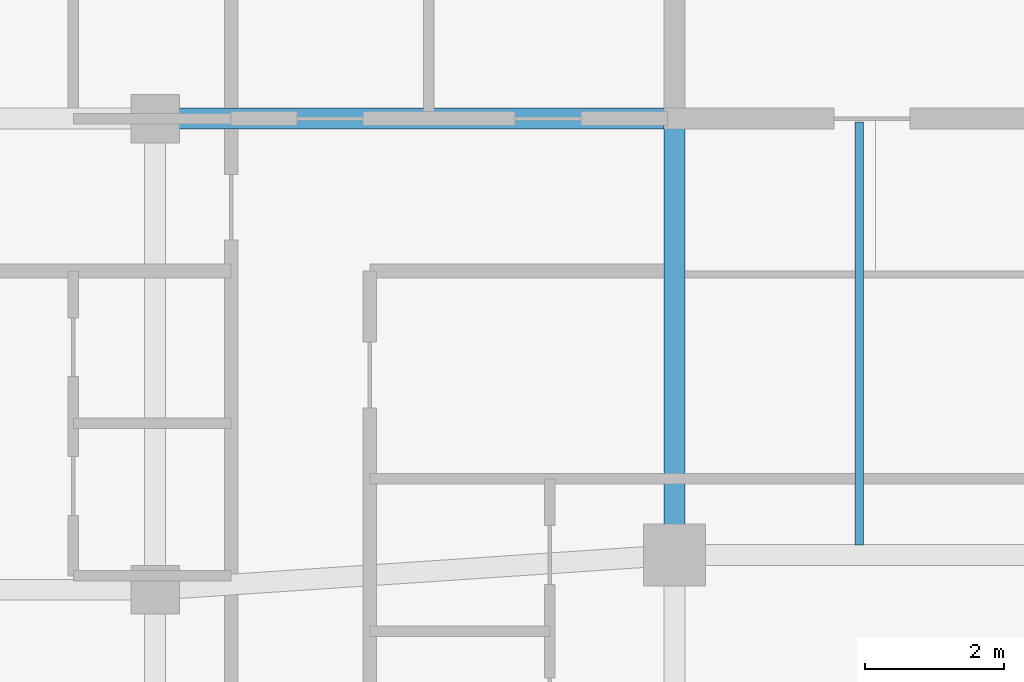
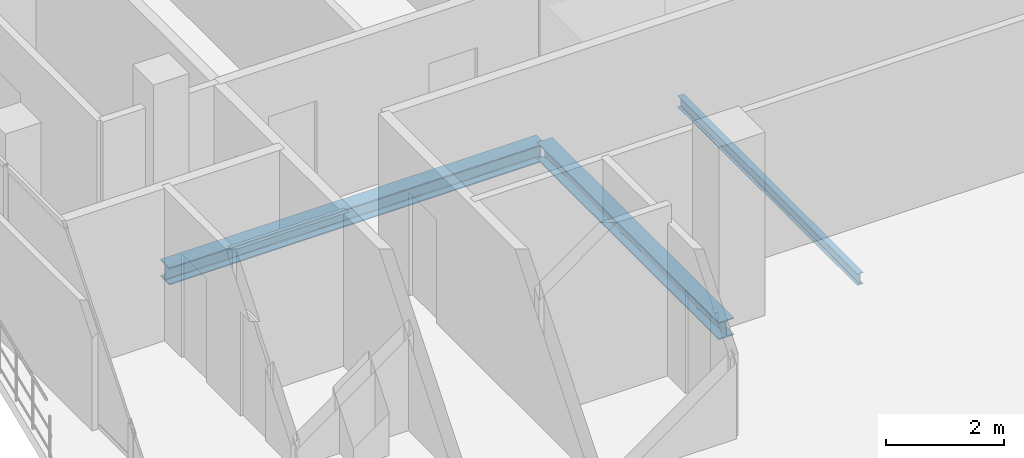
# One storey, part 11 of 23: 3 beams.
"""IFC4 building model written with IfcOpenShell, lengths in metres."""

from ifc_helpers import new_model, si_unit, direction, frame, origin, origin_2d, place, context, subcontext, project, spatial, i_section, extrude, material, material_profile, profile_set, type_object, element, save


model = new_model("IFC4")

# Units and contexts
model_context = context("Model", 3, precision=1e-05, world=origin(), true_north=direction((0.0, 1.0)))
body_context = subcontext(model_context, "Body", "Model", "MODEL_VIEW")
ifc_project = project(units=[si_unit("LENGTHUNIT", "METRE"), si_unit("AREAUNIT", "SQUARE_METRE"), si_unit("VOLUMEUNIT", "CUBIC_METRE"), si_unit("PLANEANGLEUNIT", "RADIAN"), si_unit("MASSUNIT", "GRAM", prefix="KILO")], contexts=[model_context])

# Site, building, storey
site_placement = place(None, origin())
site = spatial("IfcSite", under=ifc_project, at=site_placement, CompositionType="ELEMENT")
building_placement = place(site_placement, origin())
building = spatial("IfcBuilding", under=site, at=building_placement, Name="Catumbela Crestline Tower", CompositionType="ELEMENT")
storey_placement = place(building_placement, frame((0.0, 0.0, 248.8)))
storey = spatial("IfcBuildingStorey", under=building, at=storey_placement, Name="L64", CompositionType="ELEMENT", Elevation=248.8)

# Beams
ifc_material = material(Name="Structural steel S355J2", Category="steel")
ifc_material_profile_1 = material_profile(ifc_material, i_section(OverallWidth=0.3, OverallDepth=0.36, WebThickness=0.0125, FlangeThickness=0.0225, FilletRadius=0.027, at=origin_2d()), Name="HEB 360")
ifc_profile_set_1 = profile_set([ifc_material_profile_1], Name="Structural steel S355J2")
beam_type_1 = type_object("IfcBeamType", Name="BG-HEB360", PredefinedType="BEAM", material=ifc_profile_set_1)
beam_1_placement = place(storey_placement, frame((8.58, 30.8, -0.44), z_axis=(1.0, 0.0, 0.0), x_axis=(0.0, 1.0, 0.0)))
element("IfcBeam", 1, at=beam_1_placement, inside=storey, type_object=beam_type_1, Name="L64 Beam BM-L64-M07", PredefinedType="BEAM", context=body_context, shape_type="SweptSolid", body=[
    extrude(i_section(OverallWidth=0.3, OverallDepth=0.36, WebThickness=0.0125, FlangeThickness=0.0225, FilletRadius=0.027, at=origin_2d()), origin(), (0.0, 0.0, 1.0), 7.37),
])
beam_2_placement = place(storey_placement, frame((16.0, 24.58, -0.44), z_axis=(0.0, 1.0, 0.0), x_axis=(-1.0, 0.0, 0.0)))
element("IfcBeam", 2, at=beam_2_placement, inside=storey, type_object=beam_type_1, Name="L64 Beam BM-L64-SNS15", PredefinedType="BEAM", context=body_context, shape_type="SweptSolid", body=[
    extrude(i_section(OverallWidth=0.3, OverallDepth=0.36, WebThickness=0.0125, FlangeThickness=0.0225, FilletRadius=0.027, at=origin_2d()), origin(), (0.0, 0.0, 1.0), 6.17),
])
ifc_material_profile_2 = material_profile(ifc_material, i_section(OverallWidth=0.12, OverallDepth=0.24, WebThickness=0.0062, FlangeThickness=0.0098, FilletRadius=0.015, at=origin_2d()), Name="IPE 240")
ifc_profile_set_2 = profile_set([ifc_material_profile_2], Name="Structural steel S355J2")
beam_type_2 = type_object("IfcBeamType", Name="BJ-IPE240", PredefinedType="JOIST", material=ifc_profile_set_2)
beam_3_placement = place(storey_placement, frame((18.667, 24.647, -0.38), z_axis=(0.0, 1.0, 0.0), x_axis=(-1.0, 0.0, 0.0)))
element("IfcBeam", 3, at=beam_3_placement, inside=storey, type_object=beam_type_2, Name="L64 Joist JS-L64-SP21", PredefinedType="JOIST", context=body_context, shape_type="SweptSolid", body=[
    extrude(i_section(OverallWidth=0.12, OverallDepth=0.24, WebThickness=0.0062, FlangeThickness=0.0098, FilletRadius=0.015, at=origin_2d()), origin(), (0.0, 0.0, 1.0), 6.103),
])

save(model, "model.ifc")
